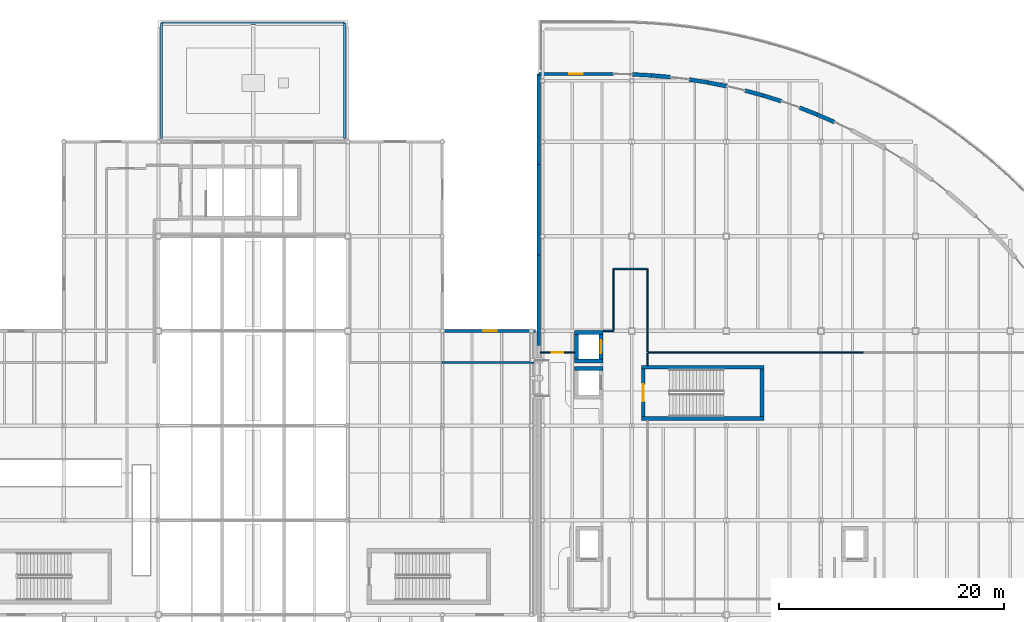
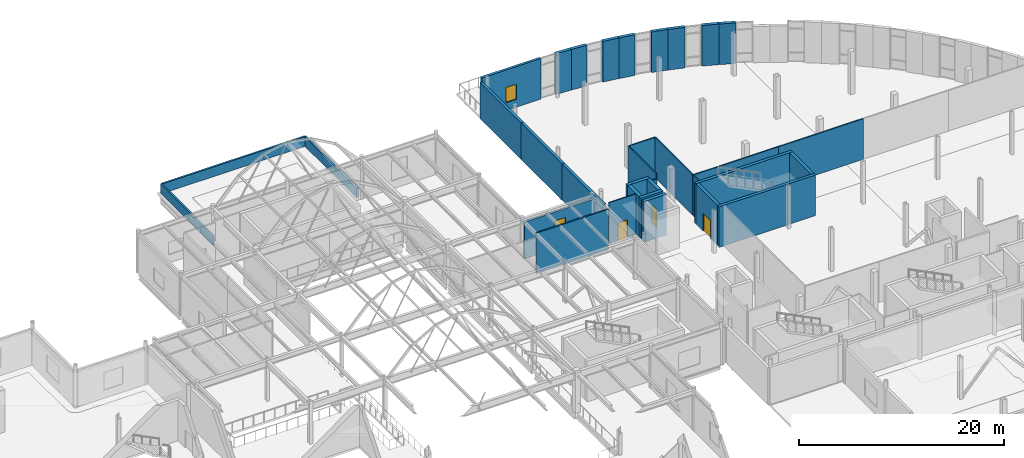
# One storey, part 68 of 103: 34 walls, 3 doors, 2 windows, 5 openings.
"""IFC4 building model written with IfcOpenShell, lengths in metres."""

from ifc_helpers import new_model, si_unit, direction, frame, frame_2d, origin, place, context, subcontext, project, spatial, rectangle, extrude, material, layer, layer_set, type_object, element, fill, save


model = new_model("IFC4")

# Units and contexts
model_context = context("Model", 3, precision=1e-05, world=origin(), true_north=direction((0.0, 1.0)))
body_context = subcontext(model_context, "Body", "Model", "MODEL_VIEW")
ifc_project = project(units=[si_unit("LENGTHUNIT", "METRE"), si_unit("AREAUNIT", "SQUARE_METRE"), si_unit("VOLUMEUNIT", "CUBIC_METRE"), si_unit("PLANEANGLEUNIT", "RADIAN"), si_unit("MASSUNIT", "GRAM", prefix="KILO"), si_unit("THERMODYNAMICTEMPERATUREUNIT", "KELVIN")], contexts=[model_context])

# Site, building, storey
site_placement = place(None, origin())
site = spatial("IfcSite", under=ifc_project, at=site_placement, CompositionType="ELEMENT")
building_placement = place(site_placement, origin())
building = spatial("IfcBuilding", under=site, at=building_placement, Name="Lustrewick Department Store", CompositionType="ELEMENT")
storey_placement = place(building_placement, frame((0.0, 0.0, 16.5)))
storey = spatial("IfcBuildingStorey", under=building, at=storey_placement, Name="L04", CompositionType="ELEMENT", Elevation=16.5)

# Wall, opening, window
ifc_material_1 = material(Name="Precast concrete C40", Category="concrete")
ifc_layer_1 = layer(ifc_material_1, 0.260009765625, Name="Precast concrete C40")
ifc_layer_set_1 = layer_set([ifc_layer_1], Name="Precast concrete C40")
wall_type_1 = type_object("IfcWallType", Name="EW02", PredefinedType="STANDARD", material=ifc_layer_set_1)
wall_1_placement = place(storey_placement, frame((109.050048828125, 84.0, 0.0), z_axis=(0.0, 0.0, 1.0), x_axis=(-1.0, 0.0, 0.0)))
wall_1 = element("IfcWall", 1, at=wall_1_placement, inside=storey, type_object=wall_type_1, Name="L04 V2 Exterior Wall EW02", PredefinedType="STANDARD", context=body_context, shape_type="SweptSolid", body=[
    extrude(rectangle(XDim=8.052001953125, YDim=0.260009765625, at=frame_2d((4.02587890625, 0.0))), origin(), (0.0, 0.0, 1.0), 4.39697265625),
])
opening_1_placement = place(wall_1_placement, frame((3.426025390625, 0.0, 0.949951171875)))
opening_1 = element("IfcOpeningElement", 2, at=opening_1_placement, cuts=wall_1, Name="Opening WN13", PredefinedType="OPENING", context=body_context, shape_type="SweptSolid", body=[
    extrude(rectangle(XDim=1.199951171875, YDim=2.39990234375, at=frame_2d((0.60009765625, 1.199951171875))), frame((0.0, 0.14013671875, 0.0), z_axis=(0.0, -1.0, 0.0), x_axis=(1.0, 0.0, 0.0)), (0.0, 0.0, 1.0), 0.280029296875),
])
ifc_material_2 = material(Name="Thermally broken Low-E triple-glazed window", Category="glass")
window_type_1 = type_object("IfcWindowType", Name="WN13", PartitioningType="DOUBLE_PANEL_VERTICAL", PredefinedType="WINDOW", material=ifc_material_2)
window_1_placement = place(opening_1_placement, origin())
window_1 = element("IfcWindow", 3, at=window_1_placement, inside=storey, type_object=window_type_1, Name="L04 Art Nouveau Window WN13", OverallHeight=2.39990234375, OverallWidth=1.199951171875, PartitioningType="SINGLE_PANEL", PredefinedType="WINDOW", context=body_context, shape_type="SweptSolid", body=[
    extrude(rectangle(XDim=1.199951171875, YDim=2.39990234375, at=frame_2d((0.60009765625, 1.199951171875))), frame((0.0, 0.030029296875, 0.0), z_axis=(0.0, -1.0, 0.0), x_axis=(1.0, 0.0, 0.0)), (0.0, 0.0, 1.0), 0.06005859375),
])
fill(opening_1, window_1)

ifc_layer_2 = layer(ifc_material_1, 0.280029296875, Name="Precast concrete C40")
ifc_layer_set_2 = layer_set([ifc_layer_2], Name="Precast concrete C40")
wall_type_2 = type_object("IfcWallType", Name="EW03", PredefinedType="STANDARD", material=ifc_layer_set_2)
wall_2_placement = place(storey_placement, frame((116.0, 106.800048828125, 0.0), z_axis=(0.0, 0.0, 1.0), x_axis=(-1.0, 0.0, 0.0)))
wall_2 = element("IfcWall", 4, at=wall_2_placement, inside=storey, type_object=wall_type_2, Name="L04 V4 Exterior Wall EW03", PredefinedType="STANDARD", context=body_context, shape_type="SweptSolid", body=[
    extrude(rectangle(XDim=6.64990234375, YDim=0.280029296875, at=frame_2d((3.324951171875, 0.0))), origin(), (0.0, 0.0, 1.0), 4.844970703125),
])
opening_2_placement = place(wall_2_placement, frame((2.72509765625, 0.0, 0.949951171875)))
opening_2 = element("IfcOpeningElement", 5, at=opening_2_placement, cuts=wall_2, Name="Opening WN01", PredefinedType="OPENING", context=body_context, shape_type="SweptSolid", body=[
    extrude(rectangle(XDim=1.199951171875, YDim=1.800048828125, at=frame_2d((0.60009765625, 0.89990234375))), frame((0.0, 0.14990234375, 0.0), z_axis=(0.0, -1.0, 0.0), x_axis=(1.0, 0.0, 0.0)), (0.0, 0.0, 1.0), 0.300048828125),
])
window_type_2 = type_object("IfcWindowType", Name="WN01", PartitioningType="DOUBLE_PANEL_VERTICAL", PredefinedType="WINDOW", material=ifc_material_2)
window_2_placement = place(opening_2_placement, origin())
window_2 = element("IfcWindow", 6, at=window_2_placement, inside=storey, type_object=window_type_2, Name="L04 Art Nouveau Window WN01", OverallHeight=1.800048828125, OverallWidth=1.199951171875, PartitioningType="SINGLE_PANEL", PredefinedType="WINDOW", context=body_context, shape_type="SweptSolid", body=[
    extrude(rectangle(XDim=1.199951171875, YDim=1.800048828125, at=frame_2d((0.60009765625, 0.89990234375))), frame((0.0, 0.030029296875, 0.0), z_axis=(0.0, -1.0, 0.0), x_axis=(1.0, 0.0, 0.0)), (0.0, 0.0, 1.0), 0.06005859375),
])
fill(opening_2, window_2)

# Walls
ifc_layer_3 = layer(ifc_material_1, 0.300048828125, Name="Precast concrete C40")
ifc_layer_set_3 = layer_set([ifc_layer_3], Name="Precast concrete C40")
wall_type_3 = type_object("IfcWallType", Name="EW04", PredefinedType="STANDARD", material=ifc_layer_set_3)
wall_3_placement = place(storey_placement, frame((109.35009765625, 106.800048828125, 0.0), z_axis=(0.0, 0.0, 1.0), x_axis=(0.0, -1.0, 0.0)))
element("IfcWall", 7, at=wall_3_placement, inside=storey, type_object=wall_type_3, Name="L04 V4 Exterior Wall EW04", PredefinedType="STANDARD", context=body_context, shape_type="SweptSolid", body=[
    extrude(rectangle(XDim=8.03564453125, YDim=0.300048828125, at=frame_2d((4.017822265625, 0.0))), origin(), (0.0, 0.0, 1.0), 4.3310546875),
])
wall_4_placement = place(storey_placement, frame((109.35009765625, 98.764404296875, 0.0), z_axis=(0.0, 0.0, 1.0), x_axis=(0.0, -1.0, 0.0)))
element("IfcWall", 8, at=wall_4_placement, inside=storey, type_object=wall_type_3, Name="L04 V4 Exterior Wall EW04", PredefinedType="STANDARD", context=body_context, shape_type="SweptSolid", body=[
    extrude(rectangle(XDim=8.035888671875, YDim=0.300048828125, at=frame_2d((4.01806640625, 0.0))), origin(), (0.0, 0.0, 1.0), 4.3310546875),
])
wall_5_placement = place(storey_placement, frame((109.35009765625, 90.728515625, 0.0), z_axis=(0.0, 0.0, 1.0), x_axis=(0.0, -1.0, 0.0)))
element("IfcWall", 9, at=wall_5_placement, inside=storey, type_object=wall_type_3, Name="L04 V4 Exterior Wall EW04", PredefinedType="STANDARD", context=body_context, shape_type="SweptSolid", body=[
    extrude(rectangle(XDim=8.03564453125, YDim=0.300048828125, at=frame_2d((4.017822265625, 0.0))), origin(), (0.0, 0.0, 1.0), 4.3310546875),
])
ifc_layer_4 = layer(ifc_material_1, 0.35009765625, Name="Precast concrete C40")
ifc_layer_set_4 = layer_set([ifc_layer_4], Name="Precast concrete C40")
wall_type_4 = type_object("IfcWallType", Name="EW06", PredefinedType="STANDARD", material=ifc_layer_set_4)
wall_6_placement = place(storey_placement, frame((135.607666015625, 102.53466796875, 0.0), z_axis=(0.0, 0.0, 1.0), x_axis=(-0.916927170713, 0.399054587254, 0.0)))
element("IfcWall", 10, at=wall_6_placement, inside=storey, type_object=wall_type_4, Name="L04 V4 Exterior Wall EW06", PredefinedType="STANDARD", context=body_context, shape_type="SweptSolid", body=[
    extrude(rectangle(XDim=1.684814453125, YDim=0.35009765625, at=frame_2d((0.84228515625, 0.0))), origin(), (0.0, 0.0, 1.0), 4.844970703125),
])
for number, where, z_axis, x_axis, name in (
    (11, (134.062744140625, 103.20703125, 0.0), (0.0, 0.0, 1.0), (-0.930569997651, 0.366114025232, 0.0), "L04 V4 Exterior Wall EW06"),
    (12, (130.90576171875, 104.384521484375, 0.0), (0.0, 0.0, 1.0), (-0.954278661239, 0.298918444904, 0.0), "L04 V4 Exterior Wall EW06"),
    (13, (129.2978515625, 104.88818359375, 0.0), (0.0, 0.0, 1.0), (-0.964405156085, 0.264428997875, 0.0), "L04 V4 Exterior Wall EW06"),
    (14, (126.033203125, 105.72119140625, 0.0), (0.0, 0.0, 1.0), (-0.980769691384, 0.195168676953, 0.0), "L04 V4 Exterior Wall EW06"),
    (15, (124.380615234375, 106.050048828125, 0.0), (0.0, 0.0, 1.0), (-0.987124033314, 0.159956690559, 0.0), "L04 V4 Exterior Wall EW06"),
):
    element("IfcWall", number, at=place(storey_placement, frame(where, z_axis=z_axis, x_axis=x_axis)), inside=storey, type_object=wall_type_4, Name=name, PredefinedType="STANDARD", context=body_context, shape_type="SweptSolid", body=[
        extrude(rectangle(XDim=1.68505859375, YDim=0.35009765625, at=frame_2d((0.842529296875, 0.0))), origin(), (0.0, 0.0, 1.0), 4.844970703125),
    ])
for number, where, z_axis, x_axis, name in (
    (16, (121.04541015625, 106.529541015625, 0.0), (0.0, 0.0, 1.0), (-0.99602164547, 0.089111625249, 0.0), "L04 V4 Exterior Wall EW06"),
    (17, (119.3671875, 106.6796875, 0.0), (0.0, 0.0, 1.0), (-0.998561628232, 0.053615992228, 0.0), "L04 V4 Exterior Wall EW06"),
):
    element("IfcWall", number, at=place(storey_placement, frame(where, z_axis=z_axis, x_axis=x_axis)), inside=storey, type_object=wall_type_4, Name=name, PredefinedType="STANDARD", context=body_context, shape_type="SweptSolid", body=[
        extrude(rectangle(XDim=1.684814453125, YDim=0.35009765625, at=frame_2d((0.84228515625, 0.0))), origin(), (0.0, 0.0, 1.0), 4.844970703125),
    ])
ifc_layer_5 = layer(ifc_material_1, 0.18994140625, Name="Precast concrete C40")
ifc_layer_set_5 = layer_set([ifc_layer_5], Name="Precast concrete C40")
wall_type_5 = type_object("IfcWallType", Name="PA01", PredefinedType="PARAPET", material=ifc_layer_set_5)
wall_7_placement = place(storey_placement, frame((75.8798828125, 101.080078125, 0.0), z_axis=(0.0, 0.0, 1.0), x_axis=(0.0, 1.0, 0.0)))
element("IfcWall", 18, at=wall_7_placement, inside=storey, type_object=wall_type_5, Name="L04 Roof Parapet PA01", PredefinedType="PARAPET", context=body_context, shape_type="SweptSolid", body=[
    extrude(rectangle(XDim=10.239990234375, YDim=0.18994140625, at=frame_2d((5.1201171875, 0.0))), origin(), (0.0, 0.0, 1.0), 1.14990234375),
])
ifc_layer_6 = layer(ifc_material_1, 0.2099609375, Name="Precast concrete C40")
ifc_layer_set_6 = layer_set([ifc_layer_6], Name="Precast concrete C40")
wall_type_6 = type_object("IfcWallType", Name="PA02", PredefinedType="PARAPET", material=ifc_layer_set_6)
wall_8_placement = place(storey_placement, frame((75.8798828125, 111.320068359375, 0.0), z_axis=(0.0, 0.0, 1.0), x_axis=(1.0, 0.0, 0.0)))
element("IfcWall", 19, at=wall_8_placement, inside=storey, type_object=wall_type_6, Name="L04 Roof Parapet PA02", PredefinedType="PARAPET", context=body_context, shape_type="SweptSolid", body=[
    extrude(rectangle(XDim=16.240234375, YDim=0.2099609375, at=frame_2d((8.1201171875, 0.0))), origin(), (0.0, 0.0, 1.0), 1.14990234375),
])
ifc_layer_7 = layer(ifc_material_1, 0.22998046875, Name="Precast concrete C40")
ifc_layer_set_7 = layer_set([ifc_layer_7], Name="Precast concrete C40")
wall_type_7 = type_object("IfcWallType", Name="PA03", PredefinedType="PARAPET", material=ifc_layer_set_7)
wall_9_placement = place(storey_placement, frame((92.1201171875, 111.320068359375, 0.0), z_axis=(0.0, 0.0, 1.0), x_axis=(0.0, -1.0, 0.0)))
element("IfcWall", 20, at=wall_9_placement, inside=storey, type_object=wall_type_7, Name="L04 Roof Parapet PA03", PredefinedType="PARAPET", context=body_context, shape_type="SweptSolid", body=[
    extrude(rectangle(XDim=10.239990234375, YDim=0.22998046875, at=frame_2d((5.1201171875, 0.0))), origin(), (0.0, 0.0, 1.0), 1.14990234375),
])
ifc_material_3 = material(Name="Double-stud gypsum fire board with mineral wool", Category="gypsum")
ifc_layer_8 = layer(ifc_material_3, 0.1650390625, Name="Double-stud gypsum fire board with mineral wool")
ifc_layer_set_8 = layer_set([ifc_layer_8], Name="Double-stud gypsum fire board with mineral wool")
wall_type_8 = type_object("IfcWallType", Name="PW04", PredefinedType="PARTITIONING", material=ifc_layer_set_8)
wall_10_placement = place(storey_placement, frame((100.7548828125, 81.19580078125, 0.0), z_axis=(0.0, 0.0, 1.0), x_axis=(1.0, 0.0, 0.0)))
element("IfcWall", 21, at=wall_10_placement, inside=storey, type_object=wall_type_8, Name="L04 AHU Mechanical Plant PW04", PredefinedType="PARTITIONING", context=body_context, shape_type="SweptSolid", body=[
    extrude(rectangle(XDim=8.150146484375, YDim=0.1650390625, at=frame_2d((4.0751953125, 0.0))), origin(), (0.0, 0.0, 1.0), 4.844970703125),
])
ifc_material_4 = material(Name="Acoustic gypsum stud office partition", Category="gypsum")
ifc_layer_9 = layer(ifc_material_4, 0.1201171875, Name="Acoustic gypsum stud office partition")
ifc_layer_set_9 = layer_set([ifc_layer_9], Name="Acoustic gypsum stud office partition")
wall_type_9 = type_object("IfcWallType", Name="PW07", PredefinedType="PARTITIONING", material=ifc_layer_set_9)
for number, where, z_axis, x_axis, name in (
    (22, (138.173583984375, 82.088623046875, 0.0), (0.0, 0.0, 1.0), (-1.0, 0.0, 0.0), "L04 Store Buying Office PW07"),
    (23, (128.591796875, 82.088623046875, 0.0), (0.0, 0.0, 1.0), (-1.0, 0.0, 0.0), "L04 Store Buying Office PW07"),
):
    element("IfcWall", number, at=place(storey_placement, frame(where, z_axis=z_axis, x_axis=x_axis)), inside=storey, type_object=wall_type_9, Name=name, PredefinedType="PARTITIONING", context=body_context, shape_type="SweptSolid", body=[
        extrude(rectangle(XDim=9.581787109375, YDim=0.1201171875, at=frame_2d((4.791015625, 0.0))), origin(), (0.0, 0.0, 1.0), 4.844970703125),
    ])
wall_11_placement = place(storey_placement, frame((119.010009765625, 82.03369140625, 0.0), z_axis=(0.0, 0.0, 1.0), x_axis=(0.0, -1.0, 0.0)))
element("IfcWall", 24, at=wall_11_placement, inside=storey, type_object=wall_type_9, Name="L04 Store Buying Office PW07", PredefinedType="PARTITIONING", context=body_context, shape_type="SweptSolid", body=[
    extrude(rectangle(XDim=1.0986328125, YDim=0.1201171875, at=frame_2d((0.54931640625, 0.0))), origin(), (0.0, 0.0, 1.0), 4.844970703125),
])

# Wall, opening, door
wall_12_placement = place(storey_placement, frame((109.4951171875, 82.088623046875, 0.0), z_axis=(0.0, 0.0, 1.0), x_axis=(1.0, 0.0, 0.0)))
wall_12 = element("IfcWall", 25, at=wall_12_placement, inside=storey, type_object=wall_type_9, Name="L04 Merchandise Selection Studio PW07", PredefinedType="PARTITIONING", context=body_context, shape_type="SweptSolid", body=[
    extrude(rectangle(XDim=3.0498046875, YDim=0.1201171875, at=frame_2d((1.52490234375, 0.0))), origin(), (0.0, 0.0, 1.0), 4.844970703125),
])
opening_3_placement = place(wall_12_placement, frame((1.0, 0.0, 0.0)))
opening_3 = element("IfcOpeningElement", 26, at=opening_3_placement, cuts=wall_12, Name="Opening D-L04-052", PredefinedType="OPENING", context=body_context, shape_type="SweptSolid", body=[
    extrude(rectangle(XDim=1.050048828125, YDim=2.10009765625, at=frame_2d((0.52490234375, 1.050048828125))), frame((0.0, 0.070068359375, 0.0), z_axis=(0.0, -1.0, 0.0), x_axis=(1.0, 0.0, 0.0)), (0.0, 0.0, 1.0), 0.14013671875),
])
ifc_material_5 = material(Name="Acoustic oak veneer office door", Category="wood")
door_type_1 = type_object("IfcDoorType", Name="DT-10", OperationType="NOTDEFINED", PredefinedType="DOOR", material=ifc_material_5)
door_1_placement = place(opening_3_placement, origin())
door_1 = element("IfcDoor", 27, at=door_1_placement, inside=storey, type_object=door_type_1, Name="L04 Merchandise Selection Studio Door D-L04-052", OperationType="SINGLE_SWING_RIGHT", OverallHeight=2.10009765625, OverallWidth=1.050048828125, PredefinedType="DOOR", context=body_context, shape_type="SweptSolid", body=[
    extrude(rectangle(XDim=1.050048828125, YDim=2.10009765625, at=frame_2d((0.52490234375, 1.050048828125))), frame((0.0, 0.02490234375, 0.0), z_axis=(0.0, -1.0, 0.0), x_axis=(1.0, 0.0, 0.0)), (0.0, 0.0, 1.0), 0.050048828125),
])
fill(opening_3, door_1)

# Walls
wall_13_placement = place(storey_placement, frame((115.06005859375, 84.010009765625, 0.0), z_axis=(0.0, 0.0, 1.0), x_axis=(1.0, 0.0, 0.0)))
element("IfcWall", 28, at=wall_13_placement, inside=storey, type_object=wall_type_9, Name="L04 Merchandise Selection Studio PW07", PredefinedType="PARTITIONING", context=body_context, shape_type="SweptSolid", body=[
    extrude(rectangle(XDim=0.929931640625, YDim=0.1201171875, at=frame_2d((0.46484375, 0.0))), origin(), (0.0, 0.0, 1.0), 4.2548828125),
])
wall_14_placement = place(storey_placement, frame((119.010009765625, 89.5, 0.0), z_axis=(0.0, 0.0, 1.0), x_axis=(0.0, -1.0, 0.0)))
element("IfcWall", 29, at=wall_14_placement, inside=storey, type_object=wall_type_9, Name="L04 Merchandise Selection Studio PW07", PredefinedType="PARTITIONING", context=body_context, shape_type="SweptSolid", body=[
    extrude(rectangle(XDim=7.356201171875, YDim=0.1201171875, at=frame_2d((3.67822265625, 0.0))), origin(), (0.0, 0.0, 1.0), 4.844970703125),
])
wall_15_placement = place(storey_placement, frame((115.989990234375, 84.06494140625, 0.0), z_axis=(0.0, 0.0, 1.0), x_axis=(0.0, 1.0, 0.0)))
element("IfcWall", 30, at=wall_15_placement, inside=storey, type_object=wall_type_9, Name="L04 Merchandise Selection Studio PW07", PredefinedType="PARTITIONING", context=body_context, shape_type="SweptSolid", body=[
    extrude(rectangle(XDim=5.43505859375, YDim=0.1201171875, at=frame_2d((2.717529296875, 0.0))), origin(), (0.0, 0.0, 1.0), 4.844970703125),
])
wall_16_placement = place(storey_placement, frame((116.0, 89.510009765625, 0.0), z_axis=(0.0, 0.0, 1.0), x_axis=(1.0, 0.0, 0.0)))
element("IfcWall", 31, at=wall_16_placement, inside=storey, type_object=wall_type_9, Name="L04 Merchandise Selection Studio PW07", PredefinedType="PARTITIONING", context=body_context, shape_type="SweptSolid", body=[
    extrude(rectangle(XDim=3.0, YDim=0.1201171875, at=frame_2d((1.5, 0.0))), origin(), (0.0, 0.0, 1.0), 4.844970703125),
])
ifc_material_6 = material(Name="Concrete C40", Category="concrete")
ifc_layer_10 = layer(ifc_material_6, 0.360107421875, Name="Concrete C40")
ifc_layer_set_10 = layer_set([ifc_layer_10], Name="Concrete C40")
wall_type_10 = type_object("IfcWallType", Name="SW04", PredefinedType="SHEAR", material=ifc_layer_set_10)
for number, where, z_axis, x_axis, name in (
    (32, (115.06005859375, 80.679931640625, 0.0), (0.0, 0.0, 1.0), (-1.0, 0.0, 0.0), "L04 Lift PL-07 Shaft Wall +Y"),
    (33, (112.5400390625, 81.320068359375, 0.0), (0.0, 0.0, 1.0), (1.0, 0.0, 0.0), "L04 Lift PL-08 Shaft Wall -Y"),
):
    element("IfcWall", number, at=place(storey_placement, frame(where, z_axis=z_axis, x_axis=x_axis)), inside=storey, type_object=wall_type_10, Name=name, PredefinedType="SHEAR", context=body_context, shape_type="SweptSolid", body=[
        extrude(rectangle(XDim=2.52001953125, YDim=0.360107421875, at=frame_2d((1.260009765625, 0.0))), origin(), (0.0, 0.0, 1.0), 4.844970703125),
    ])

# Wall, opening, door
wall_17_placement = place(storey_placement, frame((114.8798828125, 81.5, 0.0), z_axis=(0.0, 0.0, 1.0), x_axis=(0.0, 1.0, 0.0)))
wall_17 = element("IfcWall", 34, at=wall_17_placement, inside=storey, type_object=wall_type_10, Name="L04 Lift PL-08 Shaft Wall +X", PredefinedType="SHEAR", context=body_context, shape_type="SweptSolid", body=[
    extrude(rectangle(XDim=2.199951171875, YDim=0.360107421875, at=frame_2d((1.10009765625, 0.0))), origin(), (0.0, 0.0, 1.0), 4.844970703125),
])
opening_4_placement = place(wall_17_placement, frame((0.52490234375, 0.0, 0.0)))
opening_4 = element("IfcOpeningElement", 35, at=opening_4_placement, cuts=wall_17, Name="Opening LD-L04-12", PredefinedType="OPENING", context=body_context, shape_type="SweptSolid", body=[
    extrude(rectangle(XDim=1.14990234375, YDim=2.199951171875, at=frame_2d((0.574951171875, 1.10009765625))), frame((0.0, 0.18994140625, 0.0), z_axis=(0.0, -1.0, 0.0), x_axis=(1.0, 0.0, 0.0)), (0.0, 0.0, 1.0), 0.380126953125),
])
ifc_material_7 = material(Name="Brushed bronze passenger lift landing door EI 60", Category="steel")
door_type_2 = type_object("IfcDoorType", Name="DT-16", OperationType="NOTDEFINED", PredefinedType="DOOR", material=ifc_material_7)
door_2_placement = place(opening_4_placement, frame((1.14990234375, 0.0, 0.0), z_axis=(0.0, 0.0, 1.0), x_axis=(-1.0, 0.0, 0.0)))
door_2 = element("IfcDoor", 36, at=door_2_placement, inside=storey, type_object=door_type_2, Name="L04 Lift PL-08 Sliding Landing Door LD-L04-12", OperationType="DOUBLE_DOOR_SLIDING", OverallHeight=2.199951171875, OverallWidth=1.14990234375, PredefinedType="DOOR", context=body_context, shape_type="SweptSolid", body=[
    extrude(rectangle(XDim=1.14990234375, YDim=2.199951171875, at=frame_2d((0.574951171875, 1.10009765625))), frame((0.0, 0.02490234375, 0.0), z_axis=(0.0, -1.0, 0.0), x_axis=(1.0, 0.0, 0.0)), (0.0, 0.0, 1.0), 0.050048828125),
])
fill(opening_4, door_2)

# Walls
wall_18_placement = place(storey_placement, frame((115.06005859375, 83.8798828125, 0.0), z_axis=(0.0, 0.0, 1.0), x_axis=(-1.0, 0.0, 0.0)))
element("IfcWall", 37, at=wall_18_placement, inside=storey, type_object=wall_type_10, Name="L04 Lift PL-08 Shaft Wall +Y", PredefinedType="SHEAR", context=body_context, shape_type="SweptSolid", body=[
    extrude(rectangle(XDim=2.52001953125, YDim=0.360107421875, at=frame_2d((1.260009765625, 0.0))), origin(), (0.0, 0.0, 1.0), 4.844970703125),
])
wall_19_placement = place(storey_placement, frame((112.719970703125, 83.699951171875, 0.0), z_axis=(0.0, 0.0, 1.0), x_axis=(0.0, -1.0, 0.0)))
element("IfcWall", 38, at=wall_19_placement, inside=storey, type_object=wall_type_10, Name="L04 Lift PL-08 Shaft Wall -X", PredefinedType="SHEAR", context=body_context, shape_type="SweptSolid", body=[
    extrude(rectangle(XDim=2.199951171875, YDim=0.360107421875, at=frame_2d((1.10009765625, 0.0))), origin(), (0.0, 0.0, 1.0), 4.844970703125),
])
ifc_layer_11 = layer(ifc_material_6, 0.340087890625, Name="Concrete C40")
ifc_layer_set_11 = layer_set([ifc_layer_11], Name="Concrete C40")
wall_type_11 = type_object("IfcWallType", Name="SW05", PredefinedType="SHEAR", material=ifc_layer_set_11)
wall_20_placement = place(storey_placement, frame((118.4599609375, 76.22998046875, 0.0), z_axis=(0.0, 0.0, 1.0), x_axis=(1.0, 0.0, 0.0)))
element("IfcWall", 39, at=wall_20_placement, inside=storey, type_object=wall_type_11, Name="L04 Stair Core ST10 Shear Wall S", PredefinedType="SHEAR", context=body_context, shape_type="SweptSolid", body=[
    extrude(rectangle(XDim=10.880126953125, YDim=0.340087890625, at=frame_2d((5.43994140625, 0.0))), origin(), (0.0, 0.0, 1.0), 4.844970703125),
])
wall_21_placement = place(storey_placement, frame((129.169921875, 76.39990234375, 0.0), z_axis=(0.0, 0.0, 1.0), x_axis=(0.0, 1.0, 0.0)))
element("IfcWall", 40, at=wall_21_placement, inside=storey, type_object=wall_type_11, Name="L04 Stair Core ST10 Shear Wall E", PredefinedType="SHEAR", context=body_context, shape_type="SweptSolid", body=[
    extrude(rectangle(XDim=4.2001953125, YDim=0.340087890625, at=frame_2d((2.10009765625, 0.0))), origin(), (0.0, 0.0, 1.0), 4.844970703125),
])
wall_22_placement = place(storey_placement, frame((129.340087890625, 80.77001953125, 0.0), z_axis=(0.0, 0.0, 1.0), x_axis=(-1.0, 0.0, 0.0)))
element("IfcWall", 41, at=wall_22_placement, inside=storey, type_object=wall_type_11, Name="L04 Stair Core ST10 Shear Wall N", PredefinedType="SHEAR", context=body_context, shape_type="SweptSolid", body=[
    extrude(rectangle(XDim=10.880126953125, YDim=0.340087890625, at=frame_2d((5.43994140625, 0.0))), origin(), (0.0, 0.0, 1.0), 4.844970703125),
])

# Wall, opening, door
wall_23_placement = place(storey_placement, frame((118.6298828125, 80.60009765625, 0.0), z_axis=(0.0, 0.0, 1.0), x_axis=(0.0, -1.0, 0.0)))
wall_23 = element("IfcWall", 42, at=wall_23_placement, inside=storey, type_object=wall_type_11, Name="L04 Stair Core ST10 Shear Wall W", PredefinedType="SHEAR", context=body_context, shape_type="SweptSolid", body=[
    extrude(rectangle(XDim=4.2001953125, YDim=0.340087890625, at=frame_2d((2.10009765625, 0.0))), origin(), (0.0, 0.0, 1.0), 4.844970703125),
])
opening_5_placement = place(wall_23_placement, frame((1.35009765625, 0.0, 0.0)))
opening_5 = element("IfcOpeningElement", 43, at=opening_5_placement, cuts=wall_23, Name="Opening D-L04-010", PredefinedType="OPENING", context=body_context, shape_type="SweptSolid", body=[
    extrude(rectangle(XDim=1.5, YDim=2.14990234375, at=frame_2d((0.75, 1.074951171875))), frame((0.0, 0.18017578125, 0.0), z_axis=(0.0, -1.0, 0.0), x_axis=(1.0, 0.0, 0.0)), (0.0, 0.0, 1.0), 0.360107421875),
])
ifc_material_8 = material(Name="Steel fire door Class B EI 60", Category="steel")
door_type_3 = type_object("IfcDoorType", Name="DT-07", OperationType="NOTDEFINED", PredefinedType="DOOR", material=ifc_material_8)
door_3_placement = place(opening_5_placement, origin())
door_3 = element("IfcDoor", 44, at=door_3_placement, inside=storey, type_object=door_type_3, Name="L04 Smoke-Proof Stair ST10 Fire Door", OperationType="SINGLE_SWING_LEFT", OverallHeight=2.14990234375, OverallWidth=1.5, PredefinedType="DOOR", context=body_context, shape_type="SweptSolid", body=[
    extrude(rectangle(XDim=1.5, YDim=2.14990234375, at=frame_2d((0.75, 1.074951171875))), frame((0.0, 0.02490234375, 0.0), z_axis=(0.0, -1.0, 0.0), x_axis=(1.0, 0.0, 0.0)), (0.0, 0.0, 1.0), 0.050048828125),
])
fill(opening_5, door_3)

save(model, "model.ifc")
